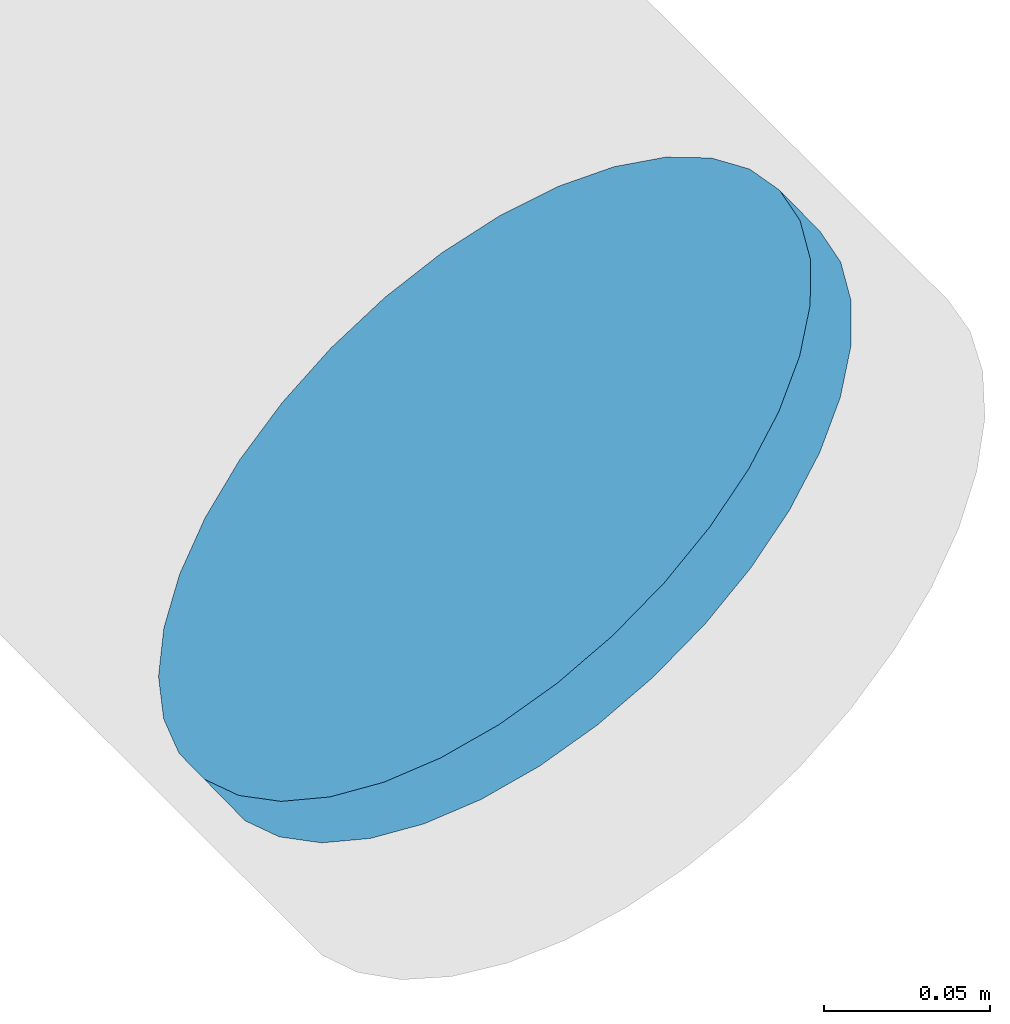
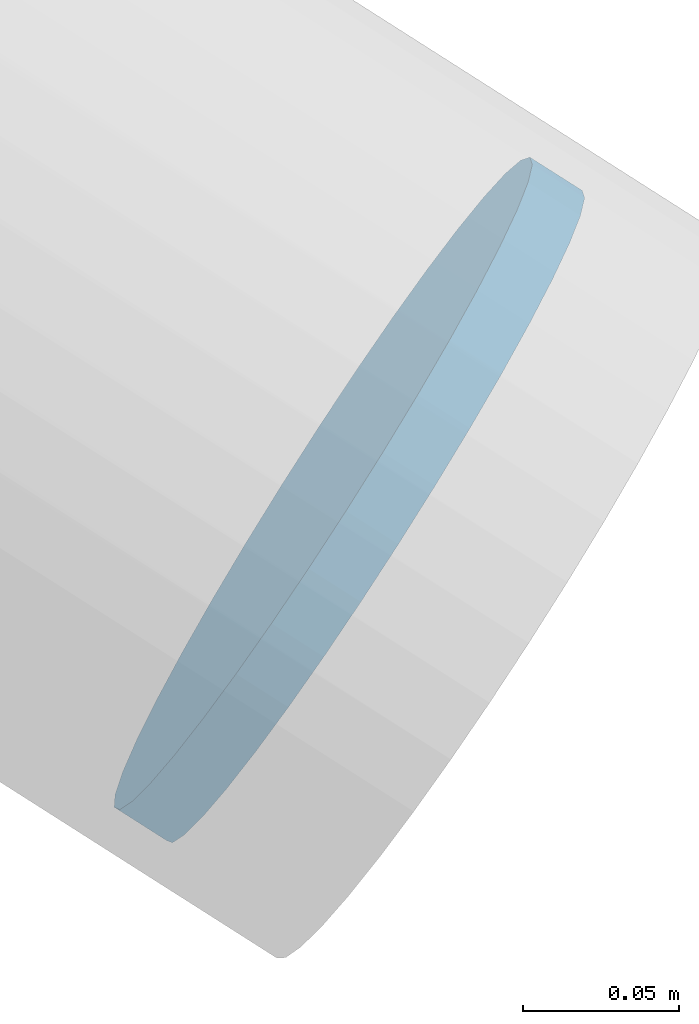
# One storey, part 35 of 40: 1 discrete accessory.
"""IFC4 building model written with IfcOpenShell, lengths in metres."""

from ifc_helpers import new_model, si_unit, direction, frame, origin, origin_2d, place, context, subcontext, project, spatial, circle, extrude, material, material_profile, profile_set, type_object, element, save


model = new_model("IFC4")

# Units and contexts
model_context = context("Model", 3, precision=1e-05, world=origin(), true_north=direction((0.0, 1.0)))
body_context = subcontext(model_context, "Body", "Model", "MODEL_VIEW")
ifc_project = project(units=[si_unit("LENGTHUNIT", "METRE"), si_unit("AREAUNIT", "SQUARE_METRE"), si_unit("VOLUMEUNIT", "CUBIC_METRE"), si_unit("PLANEANGLEUNIT", "RADIAN"), si_unit("MASSUNIT", "GRAM", prefix="KILO")], contexts=[model_context])

# Site, building, storey
site_placement = place(None, origin())
site = spatial("IfcSite", under=ifc_project, at=site_placement, CompositionType="ELEMENT")
building_placement = place(site_placement, origin())
building = spatial("IfcBuilding", under=site, at=building_placement, Name="Rimbun Link Towers", CompositionType="ELEMENT")
storey_placement = place(building_placement, frame((0.0, 0.0, 150.60009765625)))
storey = spatial("IfcBuildingStorey", under=building, at=storey_placement, Name="L36", CompositionType="ELEMENT", Elevation=150.60009765625)

# Discrete accessory
ifc_material = material(Name="Steel S355J2H", Category="steel")
ifc_material_profile = material_profile(ifc_material, circle(Radius=0.1240234375, at=origin_2d()), Name="PL D248")
ifc_profile_set = profile_set([ifc_material_profile], Name="Steel S355J2H")
discrete_accessory_type = type_object("IfcDiscreteAccessoryType", Name="Link foot sealing plate D248X20", PredefinedType="BRACKET", material=ifc_profile_set)
discrete_accessory_placement = place(storey_placement, frame((43.357421875, -18.9443359375, -2.1708984375), z_axis=(0.61080164127, -0.623017674096, -0.488641313016), x_axis=(0.714072839145, 0.700071410926, 0.0)))
element("IfcDiscreteAccessory", 1, at=discrete_accessory_placement, inside=storey, type_object=discrete_accessory_type, Name="Link foot sealing plate T2 L36 17", PredefinedType="BRACKET", context=body_context, shape_type="SweptSolid", body=[
    extrude(circle(Radius=0.1240234375, at=origin_2d()), origin(), (0.0, 0.0, 1.0), 0.02001953125),
])

save(model, "model.ifc")
